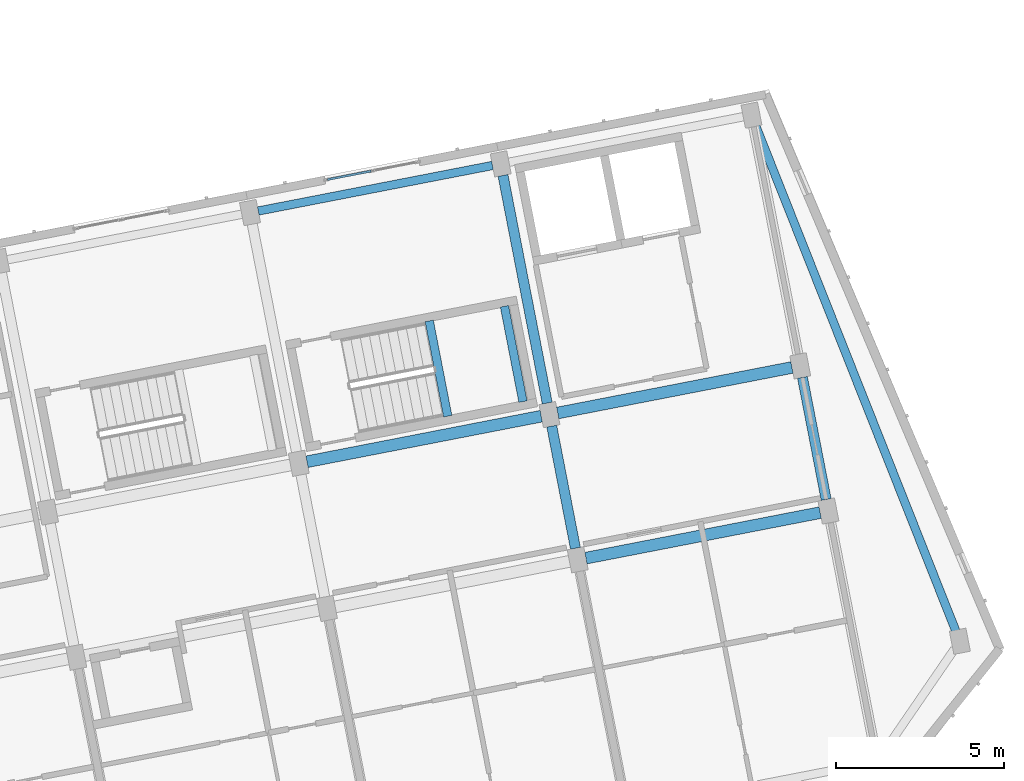
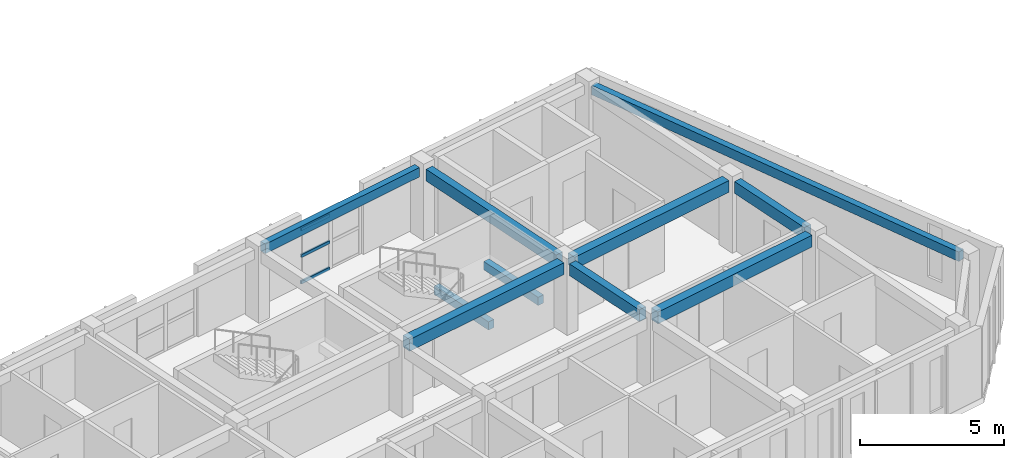
# One storey, part 10 of 66: 10 beams, 3 members, 1 element without a shape of its own.
"""IFC4 building model written with IfcOpenShell, lengths in metres."""

import ifcopenshell
import ifcopenshell.guid

model = None  # the IFC model being written
_history = None  # IfcOwnerHistory: only IFC2X3 demands one
_inside = {}  # id of a spatial element -> (the spatial element, [elements in it])
_under = {}  # id of a project, library or spatial element -> (it, [spatial elements below it])
_declared = {}  # id of a project -> (the project, [libraries it declares])
_typed = {}  # id of a type object -> (the type object, [elements of that type])
_made_of = {}  # id of a material, layer set ... -> (it, [elements and type objects made of it])


def new_model(schema):
    """Start an empty IFC model of exactly this schema.

    Asked for "IFC4X3", IfcOpenShell would pick the latest addendum, in which some entities
    have other attributes; the version numbers below select the first issue.
    IFC2X3 requires an IfcOwnerHistory on every rooted entity: one is made here for all.
    """
    global model, _history
    if schema == "IFC4X3":
        model = ifcopenshell.file(schema_version=(4, 3, 0, 0))
    else:
        model = ifcopenshell.file(schema=schema)
    _inside.clear()
    _under.clear()
    _declared.clear()
    _typed.clear()
    _made_of.clear()
    _history = None
    if model.schema == "IFC2X3":
        org = make("IfcOrganization", Name="unknown")
        user = make(
            "IfcPersonAndOrganization",
            ThePerson=make("IfcPerson", FamilyName="unknown"),
            TheOrganization=org,
        )
        app = make(
            "IfcApplication",
            ApplicationDeveloper=org,
            Version="unknown",
            ApplicationFullName="unknown",
            ApplicationIdentifier="unknown",
        )
        _history = make(
            "IfcOwnerHistory",
            OwningUser=user,
            OwningApplication=app,
            ChangeAction="ADDED",
            CreationDate=0,
        )
    return model


def make(cls, **values):
    """One entity of the class cls with the attributes given. An attribute that is None is left unset."""
    return model.create_entity(
        cls, **{name: value for name, value in values.items() if value is not None}
    )


def rooted(cls, **values):
    """An entity with a GlobalId (a new one), such as an element, a storey or a relation."""
    return make(cls, GlobalId=ifcopenshell.guid.new(), OwnerHistory=_history, **values)


def si_unit(unit_type, name, prefix=None):
    """IfcSIUnit, for example si_unit("LENGTHUNIT", "METRE", prefix="MILLI")."""
    return make("IfcSIUnit", UnitType=unit_type, Prefix=prefix, Name=name)


def assignment(units):
    """IfcUnitAssignment: the units of a project."""
    return None if units is None else make("IfcUnitAssignment", Units=units)


def point(xyz):
    """IfcCartesianPoint."""
    return None if xyz is None else make("IfcCartesianPoint", Coordinates=xyz)


def direction(xyz):
    """IfcDirection."""
    return None if xyz is None else make("IfcDirection", DirectionRatios=xyz)


def frame(location, z_axis=None, x_axis=None):
    """IfcAxis2Placement3D, a coordinate frame: its origin and axes. An axis left out is left unset."""
    return make(
        "IfcAxis2Placement3D",
        Location=point(location),
        Axis=direction(z_axis),
        RefDirection=direction(x_axis),
    )


def frame_2d(location, x_axis=None):
    """IfcAxis2Placement2D, a coordinate frame in the plane: its origin and x axis."""
    return make(
        "IfcAxis2Placement2D", Location=point(location), RefDirection=direction(x_axis)
    )


def origin():
    """The frame at (0, 0, 0) with its axes left unset."""
    return frame((0.0, 0.0, 0.0))


def origin_2d():
    """The frame at (0, 0) in the plane with its x axis left unset."""
    return frame_2d((0.0, 0.0))


def place(relative_to, where):
    """IfcLocalPlacement: puts the frame where relative to a parent placement (None: the world)."""
    return make(
        "IfcLocalPlacement", PlacementRelTo=relative_to, RelativePlacement=where
    )


def context(
    kind, dimensions, precision=None, world=None, true_north=None, identifier=None
):
    """IfcGeometricRepresentationContext, for example the 3D "Model" context."""
    return make(
        "IfcGeometricRepresentationContext",
        ContextIdentifier=identifier,
        ContextType=kind,
        CoordinateSpaceDimension=dimensions,
        Precision=precision,
        WorldCoordinateSystem=world,
        TrueNorth=true_north,
    )


def subcontext(parent, identifier, kind, view, scale=None):
    """IfcGeometricRepresentationSubContext, for example "Body" below "Model"."""
    return make(
        "IfcGeometricRepresentationSubContext",
        ContextIdentifier=identifier,
        ContextType=kind,
        ParentContext=parent,
        TargetScale=scale,
        TargetView=view,
    )


def project(units=None, contexts=None):
    """IfcProject with its units and contexts."""
    return rooted(
        "IfcProject",
        Name="project",
        RepresentationContexts=contexts,
        UnitsInContext=assignment(units),
    )


def spatial(cls, under=None, at=None, **own):
    """A site, building, storey or space (cls), placed at a placement, below another one or the project."""
    s = rooted(cls, ObjectPlacement=at, **own)
    if under is not None:
        _under.setdefault(under.id(), (under, []))[1].append(s)
    return s


def profile(cls, at=None, kind="AREA", **sizes):
    """A parametric profile (cls). Its sizes go by their IFC names, for example OverallWidth=200.0."""
    return make(cls, ProfileType=kind, Position=at, **sizes)


def rectangle(**sizes):
    """IfcRectangleProfileDef."""
    return profile("IfcRectangleProfileDef", **sizes)


def hollow_rectangle(**sizes):
    """IfcRectangleHollowProfileDef."""
    return profile("IfcRectangleHollowProfileDef", **sizes)


def extrude(swept, where, along, depth):
    """IfcExtrudedAreaSolid: the profile swept, set in the frame where, extruded along a direction by depth."""
    return make(
        "IfcExtrudedAreaSolid",
        SweptArea=swept,
        Position=where,
        ExtrudedDirection=direction(along),
        Depth=depth,
    )


def shape(context_of_items, identifier, shape_type, items):
    """IfcShapeRepresentation: the items that make up one representation, for example the "Body"."""
    return make(
        "IfcShapeRepresentation",
        ContextOfItems=context_of_items,
        RepresentationIdentifier=identifier,
        RepresentationType=shape_type,
        Items=items,
    )


def material(Name=None, Category=None):
    """IfcMaterial."""
    return make("IfcMaterial", Name=Name, Category=Category)


def material_profile(
    of_material, cross_section, Name=None, Category=None, Priority=None
):
    """IfcMaterialProfile: a cross section and its material."""
    return make(
        "IfcMaterialProfile",
        Name=Name,
        Material=of_material,
        Profile=cross_section,
        Priority=Priority,
        Category=Category,
    )


def profile_set(profiles, Name=None, composite=None):
    """IfcMaterialProfileSet."""
    return make(
        "IfcMaterialProfileSet",
        Name=Name,
        MaterialProfiles=profiles,
        CompositeProfile=composite,
    )


def made_of(thing, what):
    """Note that an element or type object is made of a material, layer set ...; save() writes the relation."""
    if what is not None:
        _made_of.setdefault(what.id(), (what, []))[1].append(thing)
    return thing


def type_object(cls, material=None, **own):
    """A type object (cls), such as IfcWallType, which elements share."""
    return made_of(rooted(cls, **own), material)


def element(
    cls,
    number,
    at=None,
    inside=None,
    cuts=None,
    type_object=None,
    material=None,
    context=None,
    identifier="Body",
    shape_type=None,
    held_by="IfcProductDefinitionShape",
    body=None,
    shapes=None,
    **own,
):
    """One element of the class cls, such as IfcWall. Its Tag is "e" and its number.

    at: its placement. inside: the storey or other place that contains it. cuts: it is an
    opening in that element (IfcRelVoidsElement). A single representation is given by context,
    identifier, shape_type and body (its items); several are given by shapes. held_by: the class
    of the entity that holds the representations. save() writes the other relations.
    """
    e = rooted(cls, Tag="e%d" % number, ObjectPlacement=at, **own)
    if body is not None:
        shapes = [shape(context, identifier, shape_type, body)]
    if shapes is not None:
        e.Representation = make(held_by, Representations=shapes)
    if inside is not None:
        _inside.setdefault(inside.id(), (inside, []))[1].append(e)
    if cuts is not None:
        rooted(
            "IfcRelVoidsElement", RelatingBuildingElement=cuts, RelatedOpeningElement=e
        )
    if type_object is not None:
        _typed.setdefault(type_object.id(), (type_object, []))[1].append(e)
    return made_of(e, material)


def aggregate(whole, parts):
    """IfcRelAggregates: a whole, such as a stair, and the parts it consists of."""
    return rooted("IfcRelAggregates", RelatingObject=whole, RelatedObjects=parts)


def save(model, path):
    """Write the relations noted so far, then the file.

    IfcRelAggregates (storeys below a building ...), IfcRelContainedInSpatialStructure (elements
    in a storey), IfcRelDefinesByType, IfcRelAssociatesMaterial and IfcRelDeclares: one each for
    every whole, place, type object, material and project.
    """
    for whole, parts in _under.values():
        aggregate(whole, parts)
    for where, things in _inside.values():
        rooted(
            "IfcRelContainedInSpatialStructure",
            RelatedElements=things,
            RelatingStructure=where,
        )
    for kind, things in _typed.values():
        rooted("IfcRelDefinesByType", RelatedObjects=things, RelatingType=kind)
    for what, things in _made_of.values():
        rooted("IfcRelAssociatesMaterial", RelatedObjects=things, RelatingMaterial=what)
    for by, libraries in _declared.values():
        rooted("IfcRelDeclares", RelatingContext=by, RelatedDefinitions=libraries)
    model.write(path)


model = new_model("IFC4")

# Units and contexts
model_context = context("Model", 3, precision=1e-05, world=origin(), true_north=direction((0.0, 1.0)))
body_context = subcontext(model_context, "Body", "Model", "MODEL_VIEW")
ifc_project = project(units=[si_unit("LENGTHUNIT", "METRE"), si_unit("AREAUNIT", "SQUARE_METRE"), si_unit("VOLUMEUNIT", "CUBIC_METRE"), si_unit("PLANEANGLEUNIT", "RADIAN"), si_unit("MASSUNIT", "GRAM", prefix="KILO")], contexts=[model_context])

# Site, building, storey
site_placement = place(None, origin())
site = spatial("IfcSite", under=ifc_project, at=site_placement, CompositionType="ELEMENT")
building_placement = place(site_placement, origin())
building = spatial("IfcBuilding", under=site, at=building_placement, Name="Kestramere Prow Commons", CompositionType="ELEMENT")
storey_placement = place(building_placement, frame((0.0, 0.0, 14.89990234375)))
storey = spatial("IfcBuildingStorey", under=building, at=storey_placement, Name="L04", CompositionType="ELEMENT", Elevation=14.89990234375)

# Beams
ifc_material_1 = material(Name="Precast concrete C40/50", Category="concrete")
ifc_material_profile_1 = material_profile(ifc_material_1, rectangle(XDim=0.35009765625, YDim=0.5, at=origin_2d()), Name="PC-BM 350x500")
ifc_profile_set_1 = profile_set([ifc_material_profile_1], Name="Precast concrete C40/50")
beam_type_1 = type_object("IfcBeamType", Name="BM-D1 PC-BM 350x500", PredefinedType="BEAM", material=ifc_profile_set_1)
for number, where, z_axis, x_axis, name in (
    (1, (154.4970703125, 48.7587890625, 2.75), (0.981627020401, 0.190809834175, 0.0), (-0.190809834175, 0.981627020401, 0.0), "Block D L04 Longitudinal Beam 2-6"),
    (2, (146.197265625, 51.6279296875, 2.75), (0.981627020401, 0.190809834175, 0.0), (-0.190809834175, 0.981627020401, 0.0), "Block D L04 Longitudinal Beam 3-5"),
):
    element("IfcBeam", number, at=place(storey_placement, frame(where, z_axis=z_axis, x_axis=x_axis)), inside=storey, type_object=beam_type_1, Name=name, PredefinedType="BEAM", context=body_context, shape_type="SweptSolid", body=[
        extrude(rectangle(XDim=0.35009765625, YDim=0.5, at=origin_2d()), origin(), (0.0, 0.0, 1.0), 7.099853515625),
    ])
beam_1_placement = place(storey_placement, frame((153.657470703125, 53.077880859375, 2.75), z_axis=(0.98162827229, 0.190803393686, 0.0), x_axis=(-0.190803393686, 0.98162827229, 0.0)))
element("IfcBeam", 3, at=beam_1_placement, inside=storey, type_object=beam_type_1, Name="Block D L04 Longitudinal Beam 3-6", PredefinedType="BEAM", context=body_context, shape_type="SweptSolid", body=[
    extrude(rectangle(XDim=0.35009765625, YDim=0.5, at=origin_2d()), origin(), (0.0, 0.0, 1.0), 7.10009765625),
])
ifc_material_2 = material(Name="Concrete C40/50", Category="concrete")
ifc_material_profile_2 = material_profile(ifc_material_2, rectangle(XDim=0.25, YDim=0.35009765625, at=origin_2d()), Name="PC-BM 250x350")
ifc_profile_set_2 = profile_set([ifc_material_profile_2], Name="Concrete C40/50")
beam_type_2 = type_object("IfcBeamType", Name="BM-ST-TRIM", PredefinedType="BEAM", material=ifc_profile_set_2)
beam_2_placement = place(storey_placement, frame((150.3857421875, 52.98193359375, 1.25), z_axis=(-0.190833481473, 0.981622423516, 0.0), x_axis=(-0.981622423516, -0.190833481473, 0.0)))
element("IfcBeam", 4, at=beam_2_placement, inside=storey, type_object=beam_type_2, Name="ST-D2 L04 Landing Trimmer Beam 1A", PredefinedType="BEAM", context=body_context, shape_type="SweptSolid", body=[
    extrude(rectangle(XDim=0.25, YDim=0.35009765625, at=origin_2d()), origin(), (0.0, 0.0, 1.0), 2.89013671875),
])
beam_3_placement = place(storey_placement, frame((152.623779296875, 53.4169921875, 1.25), z_axis=(-0.190752078966, 0.981638245165, 0.0), x_axis=(-0.981638245165, -0.190752078966, 0.0)))
element("IfcBeam", 5, at=beam_3_placement, inside=storey, type_object=beam_type_2, Name="ST-D2 L04 Landing Trimmer Beam 1B", PredefinedType="BEAM", context=body_context, shape_type="SweptSolid", body=[
    extrude(rectangle(XDim=0.25, YDim=0.35009765625, at=origin_2d()), origin(), (0.0, 0.0, 1.0), 2.889892578125),
])
ifc_material_profile_3 = material_profile(ifc_material_1, rectangle(XDim=0.300048828125, YDim=0.5, at=origin_2d()), Name="PC-BM 300x500")
ifc_profile_set_3 = profile_set([ifc_material_profile_3], Name="Precast concrete C40/50")
beam_type_3 = type_object("IfcBeamType", Name="BM-TIE-01 PC-BM 300x500", PredefinedType="BEAM", material=ifc_profile_set_3)
beam_4_placement = place(storey_placement, frame((154.184814453125, 49.0546875, 2.75), z_axis=(-0.19075839345, 0.981637018112, 0.0), x_axis=(-0.981637018112, -0.19075839345, 0.0)))
element("IfcBeam", 6, at=beam_4_placement, inside=storey, type_object=beam_type_3, Name="Block D L04 Transverse Beam 6-2", PredefinedType="BEAM", context=body_context, shape_type="SweptSolid", body=[
    extrude(rectangle(XDim=0.300048828125, YDim=0.5, at=origin_2d()), origin(), (0.0, 0.0, 1.0), 3.699951171875),
])
beam_5_placement = place(storey_placement, frame((153.345458984375, 53.373779296875, 2.75), z_axis=(-0.190819465253, 0.981625148252, 0.0), x_axis=(-0.981625148252, -0.190819465253, 0.0)))
element("IfcBeam", 7, at=beam_5_placement, inside=storey, type_object=beam_type_3, Name="Block D L04 Transverse Beam 6-3", PredefinedType="BEAM", context=body_context, shape_type="SweptSolid", body=[
    extrude(rectangle(XDim=0.300048828125, YDim=0.5, at=origin_2d()), origin(), (0.0, 0.0, 1.0), 6.89990234375),
])
beam_6_placement = place(storey_placement, frame((161.645263671875, 50.5048828125, 2.75), z_axis=(-0.190821974723, 0.981624660429, 0.0), x_axis=(-0.981624660429, -0.190821974723, 0.0)))
element("IfcBeam", 8, at=beam_6_placement, inside=storey, type_object=beam_type_3, Name="Block D L04 Transverse Beam 7-2", PredefinedType="BEAM", context=body_context, shape_type="SweptSolid", body=[
    extrude(rectangle(XDim=0.300048828125, YDim=0.5, at=origin_2d()), origin(), (0.0, 0.0, 1.0), 3.699951171875),
])

# Curtain wall, members
ifc_material_3 = material(Name="Anodised Aluminium and Low-E Glass", Category="aluminium")
curtain_wall_type = type_object("IfcCurtainWallType", Name="CW-03 Glazed Curtain Wall 2830x2320", PredefinedType="USERDEFINED", material=ifc_material_3)
curtain_wall_placement = place(storey_placement, origin())
curtain_wall = element("IfcCurtainWall", 9, at=curtain_wall_placement, inside=storey, type_object=curtain_wall_type, Name="Block D L04 Stairwell Vertical Glazing 5", ObjectType="GLAZED CURTAIN WALL", PredefinedType="USERDEFINED")
ifc_material_4 = material(Name="Anodised Aluminium 6063-T6", Category="aluminium")
ifc_material_profile_4 = material_profile(ifc_material_4, hollow_rectangle(XDim=0.06494140625, YDim=0.1298828125, WallThickness=0.00390625, at=origin_2d()), Name="ALU-TRN 65x130")
ifc_profile_set_4 = profile_set([ifc_material_profile_4], Name="Anodised Aluminium 6063-T6")
member_type = type_object("IfcMemberType", Name="CW-TRN-65x130", PredefinedType="USERDEFINED", material=ifc_profile_set_4)
member_1_placement = place(storey_placement, frame((146.806396484375, 60.0234375, 0.03271484375), z_axis=(0.981649131804, 0.190696046182, 0.0), x_axis=(-0.190696046182, 0.981649131804, 0.0)))
member_1 = element("IfcMember", 10, at=member_1_placement, type_object=member_type, Name="CW-03 transom 1.1", ObjectType="TRANSOM", PredefinedType="USERDEFINED", context=body_context, shape_type="SweptSolid", body=[
    extrude(hollow_rectangle(XDim=0.06494140625, YDim=0.1298828125, WallThickness=0.00390625, at=origin_2d()), origin(), (0.0, 0.0, 1.0), 1.3173828125),
])
member_2_placement = place(storey_placement, frame((146.806396484375, 60.0234375, 1.16015625), z_axis=(0.981649131804, 0.190696046182, 0.0), x_axis=(-0.190696046182, 0.981649131804, 0.0)))
member_2 = element("IfcMember", 11, at=member_2_placement, type_object=member_type, Name="CW-03 transom 1.2", ObjectType="TRANSOM", PredefinedType="USERDEFINED", context=body_context, shape_type="SweptSolid", body=[
    extrude(hollow_rectangle(XDim=0.06494140625, YDim=0.1298828125, WallThickness=0.00390625, at=origin_2d()), origin(), (0.0, 0.0, 1.0), 1.3173828125),
])
member_3_placement = place(storey_placement, frame((146.806396484375, 60.0234375, 2.28759765625), z_axis=(0.981649131804, 0.190696046182, 0.0), x_axis=(-0.190696046182, 0.981649131804, 0.0)))
member_3 = element("IfcMember", 12, at=member_3_placement, type_object=member_type, Name="CW-03 transom 1.3", ObjectType="TRANSOM", PredefinedType="USERDEFINED", context=body_context, shape_type="SweptSolid", body=[
    extrude(hollow_rectangle(XDim=0.06494140625, YDim=0.1298828125, WallThickness=0.00390625, at=origin_2d()), origin(), (0.0, 0.0, 1.0), 1.3173828125),
])
aggregate(curtain_wall, [member_1, member_2, member_3])

# Beams
ifc_material_profile_5 = material_profile(ifc_material_1, rectangle(XDim=0.25, YDim=0.39990234375, at=origin_2d()), Name="PC-SP 250x400")
ifc_profile_set_5 = profile_set([ifc_material_profile_5], Name="Precast concrete C40/50")
beam_type_4 = type_object("IfcBeamType", Name="SP-EXT-01 PC-SP 250x400", PredefinedType="SPANDREL", material=ifc_profile_set_5)
beam_7_placement = place(storey_placement, frame((159.525390625, 61.680419921875, 2.800048828125), z_axis=(0.368282919079, -0.929713768595, 0.0), x_axis=(0.929713768595, 0.368282919079, 0.0)))
element("IfcBeam", 13, at=beam_7_placement, inside=storey, type_object=beam_type_4, Name="Block D L04 Prow Facet Beam N", PredefinedType="SPANDREL", context=body_context, shape_type="SweptSolid", body=[
    extrude(rectangle(XDim=0.25, YDim=0.39990234375, at=origin_2d()), origin(), (0.0, 0.0, 1.0), 16.27783203125),
])
beam_8_placement = place(storey_placement, frame((144.7470703125, 59.088134765625, 2.800048828125), z_axis=(0.981627020401, 0.190809834175, 0.0), x_axis=(-0.190809834175, 0.981627020401, 0.0)))
element("IfcBeam", 14, at=beam_8_placement, inside=storey, type_object=beam_type_4, Name="Block D L04 Longitudinal Beam 4-5", PredefinedType="SPANDREL", context=body_context, shape_type="SweptSolid", body=[
    extrude(rectangle(XDim=0.25, YDim=0.39990234375, at=origin_2d()), origin(), (0.0, 0.0, 1.0), 7.099853515625),
])

save(model, "model.ifc")
